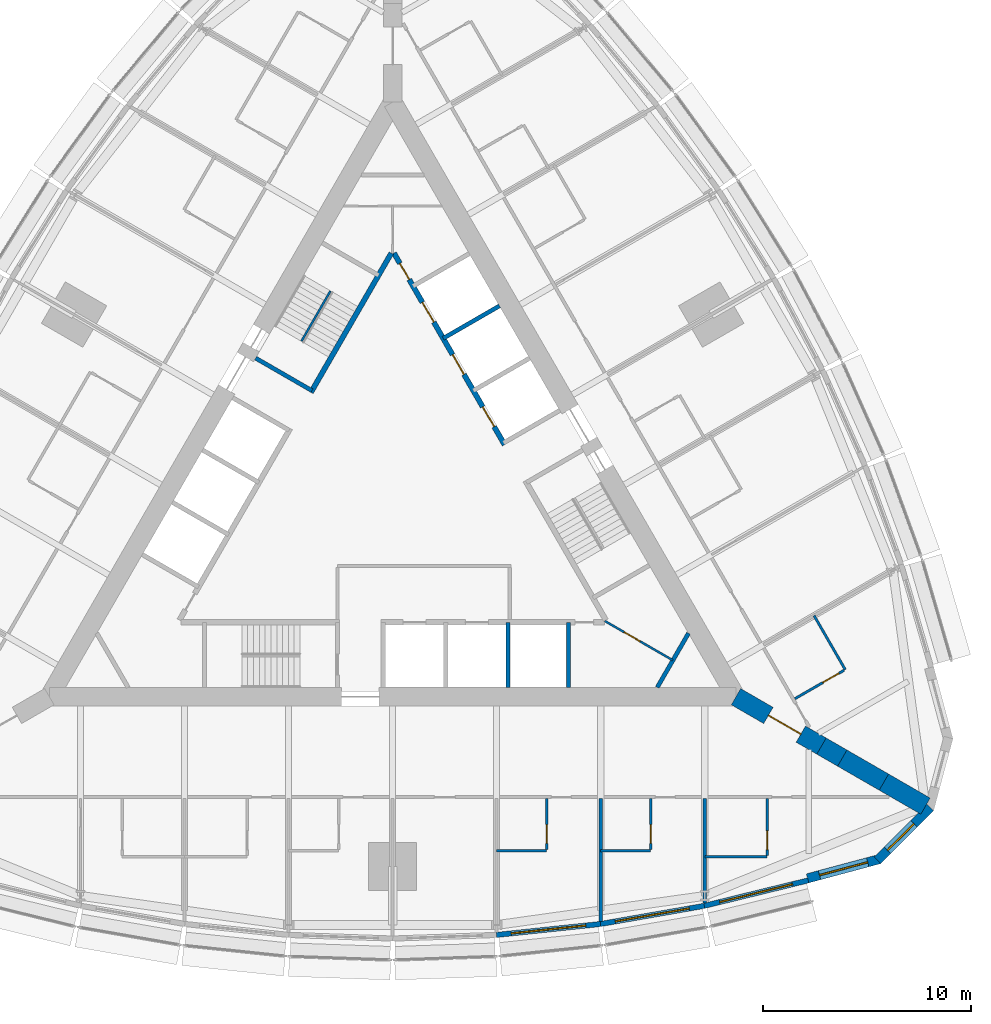
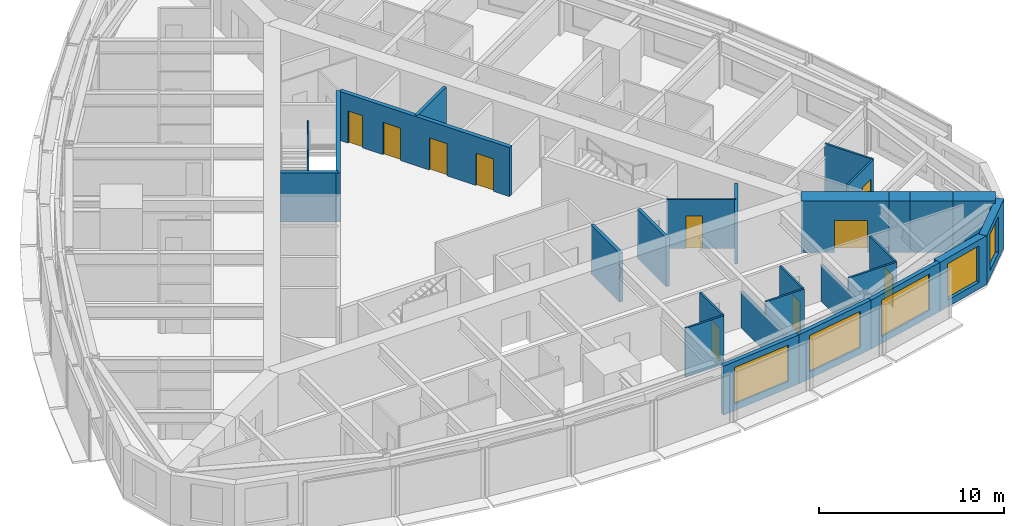
# One storey, part 10 of 14: 28 walls, 10 doors, 5 windows, 15 openings.
"""IFC4 building model written with IfcOpenShell, lengths in metres."""

from ifc_helpers import new_model, si_unit, direction, frame, frame_2d, origin, place, context, subcontext, project, spatial, polyline, rectangle, outline, extrude, material, layer, layer_set, type_object, element, fill, save


model = new_model("IFC4")

# Units and contexts
model_context = context("Model", 3, precision=1e-05, world=origin(), true_north=direction((0.0, 1.0)))
body_context = subcontext(model_context, "Body", "Model", "MODEL_VIEW")
ifc_project = project(units=[si_unit("LENGTHUNIT", "METRE"), si_unit("AREAUNIT", "SQUARE_METRE"), si_unit("VOLUMEUNIT", "CUBIC_METRE"), si_unit("PLANEANGLEUNIT", "RADIAN"), si_unit("MASSUNIT", "GRAM", prefix="KILO")], contexts=[model_context])

# Site, building, storey
site_placement = place(None, origin())
site = spatial("IfcSite", under=ifc_project, at=site_placement, CompositionType="ELEMENT")
building_placement = place(site_placement, origin())
building = spatial("IfcBuilding", under=site, at=building_placement, Name="Trikona Tower", CompositionType="ELEMENT")
storey_placement = place(building_placement, frame((0.0, 0.0, 152.10009765625)))
storey = spatial("IfcBuildingStorey", under=building, at=storey_placement, Name="L40", CompositionType="ELEMENT", Elevation=152.10009765625)

# Wall
ifc_material_1 = material(Name="Metal stud and cement board", Category="gypsum")
ifc_layer_1 = layer(ifc_material_1, 0.1201171875)
ifc_layer_set_1 = layer_set([ifc_layer_1], Name="Bathroom wall 120")
wall_type_1 = type_object("IfcWallType", Name="Bathroom wall 120", PredefinedType="PLUMBINGWALL", material=ifc_layer_set_1)
wall_1_placement = place(storey_placement, frame((5.0, -16.92626953125, 0.0), z_axis=(0.0, 0.0, 1.0), x_axis=(1.0, 0.0, 0.0)))
element("IfcWall", 1, at=wall_1_placement, inside=storey, type_object=wall_type_1, Name="Bathroom wall 4004", PredefinedType="PLUMBINGWALL", context=body_context, shape_type="SweptSolid", body=[
    extrude(rectangle(XDim=2.39990234375, YDim=0.1201171875, at=frame_2d((1.199951171875, 0.0))), origin(), (0.0, 0.0, 1.0), 3.23486328125),
])

# Wall, opening, door
wall_2_placement = place(storey_placement, frame((7.39990234375, -14.42626953125, 0.0), z_axis=(0.0, 0.0, 1.0), x_axis=(0.0, -1.0, 0.0)))
wall_2 = element("IfcWall", 2, at=wall_2_placement, inside=storey, type_object=wall_type_1, Name="Bathroom wall 4004", PredefinedType="PLUMBINGWALL", context=body_context, shape_type="SweptSolid", body=[
    extrude(rectangle(XDim=2.43994140625, YDim=0.1201171875, at=frame_2d((1.219970703125, 0.0))), origin(), (0.0, 0.0, 1.0), 3.23486328125),
])
opening_1_placement = place(wall_2_placement, frame((1.25, 0.0, 0.0)))
opening_1 = element("IfcOpeningElement", 3, at=opening_1_placement, cuts=wall_2, Name="Opening D2", PredefinedType="OPENING", context=body_context, shape_type="SweptSolid", body=[
    extrude(rectangle(XDim=0.89990234375, YDim=2.1298828125, at=frame_2d((0.449951171875, 1.06494140625))), frame((0.0, 0.070068359375, 0.0), z_axis=(0.0, -1.0, 0.0), x_axis=(1.0, 0.0, 0.0)), (0.0, 0.0, 1.0), 0.14013671875),
])
ifc_material_2 = material(Name="Steel door frame with solid-core timber leaf", Category="steel")
door_type_1 = type_object("IfcDoorType", Name="Bathroom door 900x2130", OperationType="SLIDING_TO_LEFT", PredefinedType="DOOR", material=ifc_material_2)
door_1_placement = place(opening_1_placement, origin())
door_1 = element("IfcDoor", 4, at=door_1_placement, inside=storey, type_object=door_type_1, Name="Bathroom door 4004", OperationType="SLIDING_TO_LEFT", OverallHeight=2.1298828125, OverallWidth=0.89990234375, PredefinedType="DOOR", context=body_context, shape_type="SweptSolid", body=[
    extrude(rectangle(XDim=0.89990234375, YDim=2.1298828125, at=frame_2d((0.449951171875, 1.06494140625))), frame((0.0, 0.02490234375, 0.0), z_axis=(0.0, -1.0, 0.0), x_axis=(1.0, 0.0, 0.0)), (0.0, 0.0, 1.0), 0.050048828125),
])
fill(opening_1, door_1)

# Wall
wall_3_placement = place(storey_placement, frame((10.0, -16.92626953125, 0.0), z_axis=(0.0, 0.0, 1.0), x_axis=(1.0, 0.0, 0.0)))
element("IfcWall", 5, at=wall_3_placement, inside=storey, type_object=wall_type_1, Name="Bathroom wall 4005", PredefinedType="PLUMBINGWALL", context=body_context, shape_type="SweptSolid", body=[
    extrude(rectangle(XDim=2.39990234375, YDim=0.1201171875, at=frame_2d((1.199951171875, 0.0))), origin(), (0.0, 0.0, 1.0), 3.23486328125),
])

# Wall, opening, door
wall_4_placement = place(storey_placement, frame((12.39990234375, -14.42626953125, 0.0), z_axis=(0.0, 0.0, 1.0), x_axis=(0.0, -1.0, 0.0)))
wall_4 = element("IfcWall", 6, at=wall_4_placement, inside=storey, type_object=wall_type_1, Name="Bathroom wall 4005", PredefinedType="PLUMBINGWALL", context=body_context, shape_type="SweptSolid", body=[
    extrude(rectangle(XDim=2.43994140625, YDim=0.1201171875, at=frame_2d((1.219970703125, 0.0))), origin(), (0.0, 0.0, 1.0), 3.23486328125),
])
opening_2_placement = place(wall_4_placement, frame((1.25, 0.0, 0.0)))
opening_2 = element("IfcOpeningElement", 7, at=opening_2_placement, cuts=wall_4, Name="Opening D2", PredefinedType="OPENING", context=body_context, shape_type="SweptSolid", body=[
    extrude(rectangle(XDim=0.89990234375, YDim=2.1298828125, at=frame_2d((0.449951171875, 1.06494140625))), frame((0.0, 0.070068359375, 0.0), z_axis=(0.0, -1.0, 0.0), x_axis=(1.0, 0.0, 0.0)), (0.0, 0.0, 1.0), 0.14013671875),
])
door_2_placement = place(opening_2_placement, origin())
door_2 = element("IfcDoor", 8, at=door_2_placement, inside=storey, type_object=door_type_1, Name="Bathroom door 4005", OperationType="SLIDING_TO_LEFT", OverallHeight=2.1298828125, OverallWidth=0.89990234375, PredefinedType="DOOR", context=body_context, shape_type="SweptSolid", body=[
    extrude(rectangle(XDim=0.89990234375, YDim=2.1298828125, at=frame_2d((0.449951171875, 1.06494140625))), frame((0.0, 0.02490234375, 0.0), z_axis=(0.0, -1.0, 0.0), x_axis=(1.0, 0.0, 0.0)), (0.0, 0.0, 1.0), 0.050048828125),
])
fill(opening_2, door_2)

# Wall
wall_5_placement = place(storey_placement, frame((15.0, -17.226318359375, 0.0), z_axis=(0.0, 0.0, 1.0), x_axis=(1.0, 0.0, 0.0)))
element("IfcWall", 9, at=wall_5_placement, inside=storey, type_object=wall_type_1, Name="Bathroom wall 4006", PredefinedType="PLUMBINGWALL", context=body_context, shape_type="SweptSolid", body=[
    extrude(rectangle(XDim=3.0, YDim=0.1201171875, at=frame_2d((1.5, 0.0))), origin(), (0.0, 0.0, 1.0), 3.23486328125),
])

# Wall, opening, door
wall_6_placement = place(storey_placement, frame((18.0, -14.42626953125, 0.0), z_axis=(0.0, 0.0, 1.0), x_axis=(0.0, -1.0, 0.0)))
wall_6 = element("IfcWall", 10, at=wall_6_placement, inside=storey, type_object=wall_type_1, Name="Bathroom wall 4006", PredefinedType="PLUMBINGWALL", context=body_context, shape_type="SweptSolid", body=[
    extrude(rectangle(XDim=2.739990234375, YDim=0.1201171875, at=frame_2d((1.3701171875, 0.0))), origin(), (0.0, 0.0, 1.0), 3.23486328125),
])
opening_3_placement = place(wall_6_placement, frame((1.550048828125, 0.0, 0.0)))
opening_3 = element("IfcOpeningElement", 11, at=opening_3_placement, cuts=wall_6, Name="Opening D2", PredefinedType="OPENING", context=body_context, shape_type="SweptSolid", body=[
    extrude(rectangle(XDim=0.89990234375, YDim=2.1298828125, at=frame_2d((0.449951171875, 1.06494140625))), frame((0.0, 0.070068359375, 0.0), z_axis=(0.0, -1.0, 0.0), x_axis=(1.0, 0.0, 0.0)), (0.0, 0.0, 1.0), 0.14013671875),
])
door_3_placement = place(opening_3_placement, origin())
door_3 = element("IfcDoor", 12, at=door_3_placement, inside=storey, type_object=door_type_1, Name="Bathroom door 4006", OperationType="SLIDING_TO_LEFT", OverallHeight=2.1298828125, OverallWidth=0.89990234375, PredefinedType="DOOR", context=body_context, shape_type="SweptSolid", body=[
    extrude(rectangle(XDim=0.89990234375, YDim=2.1298828125, at=frame_2d((0.449951171875, 1.06494140625))), frame((0.0, 0.02490234375, 0.0), z_axis=(0.0, -1.0, 0.0), x_axis=(1.0, 0.0, 0.0)), (0.0, 0.0, 1.0), 0.050048828125),
])
fill(opening_3, door_3)

# Wall
wall_7_placement = place(storey_placement, frame((21.75341796875, -8.225341796875, 0.0), z_axis=(0.0, 0.0, 1.0), x_axis=(-0.499990139034, 0.866031096941, 0.0)))
element("IfcWall", 13, at=wall_7_placement, inside=storey, type_object=wall_type_1, Name="Bathroom wall 4007", PredefinedType="PLUMBINGWALL", context=body_context, shape_type="SweptSolid", body=[
    extrude(rectangle(XDim=3.0, YDim=0.1201171875, at=frame_2d((1.5, 0.0))), origin(), (0.0, 0.0, 1.0), 3.23486328125),
])

# Wall, opening, door
wall_8_placement = place(storey_placement, frame((19.32861328125, -9.625244140625, 0.0), z_axis=(0.0, 0.0, 1.0), x_axis=(0.866035715982, 0.499982138324, 0.0)))
wall_8 = element("IfcWall", 14, at=wall_8_placement, inside=storey, type_object=wall_type_1, Name="Bathroom wall 4007", PredefinedType="PLUMBINGWALL", context=body_context, shape_type="SweptSolid", body=[
    extrude(rectangle(XDim=2.73974609375, YDim=0.1201171875, at=frame_2d((1.369873046875, 0.0))), origin(), (0.0, 0.0, 1.0), 3.23486328125),
])
opening_4_placement = place(wall_8_placement, frame((1.550048828125, 0.0, 0.0)))
opening_4 = element("IfcOpeningElement", 15, at=opening_4_placement, cuts=wall_8, Name="Opening D2", PredefinedType="OPENING", context=body_context, shape_type="SweptSolid", body=[
    extrude(rectangle(XDim=0.89990234375, YDim=2.1298828125, at=frame_2d((0.449951171875, 1.06494140625))), frame((0.0, 0.070068359375, 0.0), z_axis=(0.0, -1.0, 0.0), x_axis=(1.0, 0.0, 0.0)), (0.0, 0.0, 1.0), 0.14013671875),
])
door_4_placement = place(opening_4_placement, origin())
door_4 = element("IfcDoor", 16, at=door_4_placement, inside=storey, type_object=door_type_1, Name="Bathroom door 4007", OperationType="SLIDING_TO_LEFT", OverallHeight=2.1298828125, OverallWidth=0.89990234375, PredefinedType="DOOR", context=body_context, shape_type="SweptSolid", body=[
    extrude(rectangle(XDim=0.89990234375, YDim=2.1298828125, at=frame_2d((0.449951171875, 1.06494140625))), frame((0.0, 0.02490234375, 0.0), z_axis=(0.0, -1.0, 0.0), x_axis=(1.0, 0.0, 0.0)), (0.0, 0.0, 1.0), 0.050048828125),
])
fill(opening_4, door_4)

# Wall, opening, window
ifc_material_3 = material(Name="Brick-faced precast concrete", Category="masonry")
ifc_layer_2 = layer(ifc_material_3, 0.449951171875)
ifc_layer_set_2 = layer_set([ifc_layer_2], Name="Brick-faced corner wall 450")
wall_type_2 = type_object("IfcWallType", Name="Brick-faced corner wall 450", PredefinedType="SOLIDWALL", material=ifc_layer_set_2)
wall_9_placement = place(storey_placement, frame((19.94189453125, -18.2578125, 0.0), z_axis=(0.0, 0.0, 1.0), x_axis=(0.965924653531, 0.258823421857, 0.0)))
wall_9 = element("IfcWall", 17, at=wall_9_placement, inside=storey, type_object=wall_type_2, Name="External wall L40-08", PredefinedType="SOLIDWALL", context=body_context, shape_type="SweptSolid", body=[
    extrude(rectangle(XDim=3.58642578125, YDim=0.449951171875, at=frame_2d((1.793212890625, 0.0))), origin(), (0.0, 0.0, 1.0), 3.23486328125),
])
opening_5_placement = place(wall_9_placement, frame((0.593017578125, 0.0, 0.449951171875)))
opening_5 = element("IfcOpeningElement", 18, at=opening_5_placement, cuts=wall_9, Name="Opening W2424", PredefinedType="OPENING", context=body_context, shape_type="SweptSolid", body=[
    extrude(rectangle(XDim=2.39990234375, YDim=2.39990234375, at=frame_2d((1.199951171875, 1.199951171875))), frame((0.0, 0.23486328125, 0.0), z_axis=(0.0, -1.0, 0.0), x_axis=(1.0, 0.0, 0.0)), (0.0, 0.0, 1.0), 0.469970703125),
])
ifc_material_4 = material(Name="Aluminium-framed double glazing", Category="aluminium")
window_type_1 = type_object("IfcWindowType", Name="Window 2400x2400", PartitioningType="SINGLE_PANEL", PredefinedType="WINDOW", material=ifc_material_4)
window_1_placement = place(opening_5_placement, origin())
window_1 = element("IfcWindow", 19, at=window_1_placement, inside=storey, type_object=window_type_1, Name="Window 4006", OverallHeight=2.39990234375, OverallWidth=2.39990234375, PartitioningType="SINGLE_PANEL", PredefinedType="WINDOW", context=body_context, shape_type="SweptSolid", body=[
    extrude(rectangle(XDim=2.39990234375, YDim=2.39990234375, at=frame_2d((1.199951171875, 1.199951171875))), frame((0.0, 0.030029296875, 0.0), z_axis=(0.0, -1.0, 0.0), x_axis=(1.0, 0.0, 0.0)), (0.0, 0.0, 1.0), 0.06005859375),
])
fill(opening_5, window_1)

wall_10_placement = place(storey_placement, frame((23.304931640625, -17.387939453125, 0.0), z_axis=(0.0, 0.0, 1.0), x_axis=(0.707106781187, 0.707106781187, 0.0)))
wall_10 = element("IfcWall", 20, at=wall_10_placement, inside=storey, type_object=wall_type_2, Name="External wall L40-09", PredefinedType="SOLIDWALL", context=body_context, shape_type="SweptSolid", body=[
    extrude(outline(polyline([(3.586181640625, 0.22509765625), (3.527099609375, 0.22509765625), (3.03515625, 0.09326171875), (3.0, 0.22509765625), (0.0, 0.22509765625), (0.0, -0.22509765625), (3.586181640625, -0.22509765625), (3.586181640625, 0.22509765625)])), origin(), (0.0, 0.0, 1.0), 3.23486328125),
])
opening_6_placement = place(wall_10_placement, frame((0.6748046875, 0.0, 0.449951171875)))
opening_6 = element("IfcOpeningElement", 21, at=opening_6_placement, cuts=wall_10, Name="Opening W1824", PredefinedType="OPENING", context=body_context, shape_type="SweptSolid", body=[
    extrude(rectangle(XDim=1.800048828125, YDim=2.39990234375, at=frame_2d((0.89990234375, 1.199951171875))), frame((0.0, 0.23486328125, 0.0), z_axis=(0.0, -1.0, 0.0), x_axis=(1.0, 0.0, 0.0)), (0.0, 0.0, 1.0), 0.469970703125),
])
ifc_material_5 = material(Name="Aluminium-framed double glazing", Category="aluminium")
window_type_2 = type_object("IfcWindowType", Name="Window 1800x2400", PartitioningType="SINGLE_PANEL", PredefinedType="WINDOW", material=ifc_material_5)
window_2_placement = place(opening_6_placement, origin())
window_2 = element("IfcWindow", 22, at=window_2_placement, inside=storey, type_object=window_type_2, Name="Window 4006", OverallHeight=2.39990234375, OverallWidth=1.800048828125, PartitioningType="SINGLE_PANEL", PredefinedType="WINDOW", context=body_context, shape_type="SweptSolid", body=[
    extrude(rectangle(XDim=1.800048828125, YDim=2.39990234375, at=frame_2d((0.89990234375, 1.199951171875))), frame((0.0, 0.030029296875, 0.0), z_axis=(0.0, -1.0, 0.0), x_axis=(1.0, 0.0, 0.0)), (0.0, 0.0, 1.0), 0.06005859375),
])
fill(opening_6, window_2)

# Wall, opening, door
ifc_material_6 = material(Name="Concrete f'c 10000 psi", Category="concrete")
ifc_layer_3 = layer(ifc_material_6, 0.89990234375)
ifc_layer_set_3 = layer_set([ifc_layer_3], Name="Buttress wall 900")
wall_type_3 = type_object("IfcWallType", Name="Buttress wall 900", PredefinedType="SHEAR", material=ifc_layer_set_3)
wall_11_placement = place(storey_placement, frame((16.5, -9.5263671875, 0.0), z_axis=(0.0, 0.0, 1.0), x_axis=(0.866031398331, -0.499989616998, 0.0)))
wall_11 = element("IfcWall", 23, at=wall_11_placement, inside=storey, type_object=wall_type_3, Name="Buttress wall 1", PredefinedType="SHEAR", context=body_context, shape_type="SweptSolid", body=[
    extrude(rectangle(XDim=4.74609375, YDim=0.89990234375, at=frame_2d((2.373046875, 0.0))), origin(), (0.0, 0.0, 1.0), 3.39990234375),
])
opening_7_placement = place(wall_11_placement, frame((1.800048828125, 0.0, 0.0)))
opening_7 = element("IfcOpeningElement", 24, at=opening_7_placement, cuts=wall_11, Name="Opening D10", PredefinedType="OPENING", context=body_context, shape_type="SweptSolid", body=[
    extrude(rectangle(XDim=1.800048828125, YDim=2.1298828125, at=frame_2d((0.89990234375, 1.06494140625))), frame((0.0, 0.4599609375, 0.0), z_axis=(0.0, -1.0, 0.0), x_axis=(1.0, 0.0, 0.0)), (0.0, 0.0, 1.0), 0.919921875),
])
ifc_material_7 = material(Name="Hollow metal door and frame", Category="steel")
door_type_2 = type_object("IfcDoorType", Name="Cross-corridor door pair 1800x2130", OperationType="DOUBLE_DOOR_DOUBLE_SWING", PredefinedType="DOOR", material=ifc_material_7)
door_5_placement = place(opening_7_placement, origin())
door_5 = element("IfcDoor", 25, at=door_5_placement, inside=storey, type_object=door_type_2, Name="Cross-corridor door 1", OperationType="DOUBLE_DOOR_DOUBLE_SWING", OverallHeight=2.1298828125, OverallWidth=1.800048828125, PredefinedType="DOOR", context=body_context, shape_type="SweptSolid", body=[
    extrude(rectangle(XDim=1.800048828125, YDim=2.1298828125, at=frame_2d((0.89990234375, 1.06494140625))), frame((0.0, 0.02490234375, 0.0), z_axis=(0.0, -1.0, 0.0), x_axis=(1.0, 0.0, 0.0)), (0.0, 0.0, 1.0), 0.050048828125),
])
fill(opening_7, door_5)

# Walls
wall_12_placement = place(storey_placement, frame((20.6103515625, -11.8994140625, 0.0), z_axis=(0.0, 0.0, 1.0), x_axis=(0.866009537788, -0.500027479704, 0.0)))
element("IfcWall", 26, at=wall_12_placement, inside=storey, type_object=wall_type_3, Name="Buttress wall 1 part 2", PredefinedType="SHEAR", context=body_context, shape_type="SweptSolid", body=[
    extrude(rectangle(XDim=1.15478515625, YDim=0.89990234375, at=frame_2d((0.577392578125, 0.0))), origin(), (0.0, 0.0, 1.0), 3.39990234375),
])
for number, where, z_axis, x_axis, name in (
    (27, (21.6103515625, -12.476806640625, 0.0), (0.0, 0.0, 1.0), (0.866055313784, -0.499948190782, 0.0), "Buttress wall 1 part 3"),
    (28, (23.6103515625, -13.63134765625, 0.0), (0.0, 0.0, 1.0), (0.866009537788, -0.500027479704, 0.0), "Buttress wall 1 part 4"),
):
    element("IfcWall", number, at=place(storey_placement, frame(where, z_axis=z_axis, x_axis=x_axis)), inside=storey, type_object=wall_type_3, Name=name, PredefinedType="SHEAR", context=body_context, shape_type="SweptSolid", body=[
        extrude(rectangle(XDim=2.309326171875, YDim=0.89990234375, at=frame_2d((1.15478515625, 0.0))), origin(), (0.0, 0.0, 1.0), 3.39990234375),
    ])

# Wall, openings, doors
ifc_material_8 = material(Name="Concrete f'c 8000 psi", Category="concrete")
ifc_layer_4 = layer(ifc_material_8, 0.25)
ifc_layer_set_4 = layer_set([ifc_layer_4], Name="Hub wall 250")
wall_type_4 = type_object("IfcWallType", Name="Hub wall 250", PredefinedType="SOLIDWALL", material=ifc_layer_set_4)
wall_13_placement = place(storey_placement, frame((5.37890625, 2.5859375, 0.0), z_axis=(0.0, 0.0, 1.0), x_axis=(-0.500001375892, 0.866024609411, 0.0)))
wall_13 = element("IfcWall", 29, at=wall_13_placement, inside=storey, type_object=wall_type_4, Name="Lift lobby wall B2", PredefinedType="SOLIDWALL", context=body_context, shape_type="SweptSolid", body=[
    extrude(rectangle(XDim=10.6328125, YDim=0.25, at=frame_2d((5.31640625, 0.0))), origin(), (0.0, 0.0, 1.0), 3.23486328125),
])
opening_8_placement = place(wall_13_placement, frame((9.1640625, 0.0, 0.0)))
opening_8 = element("IfcOpeningElement", 30, at=opening_8_placement, cuts=wall_13, Name="Opening D14", PredefinedType="OPENING", context=body_context, shape_type="SweptSolid", body=[
    extrude(rectangle(XDim=0.89990234375, YDim=2.1298828125, at=frame_2d((0.449951171875, 1.06494140625))), frame((0.0, 0.135009765625, 0.0), z_axis=(0.0, -1.0, 0.0), x_axis=(1.0, 0.0, 0.0)), (0.0, 0.0, 1.0), 0.27001953125),
])
opening_9_placement = place(wall_13_placement, frame((1.0, 0.0, 0.0)))
opening_9 = element("IfcOpeningElement", 31, at=opening_9_placement, cuts=wall_13, Name="Opening LD", PredefinedType="OPENING", context=body_context, shape_type="SweptSolid", body=[
    extrude(rectangle(XDim=1.10009765625, YDim=2.1298828125, at=frame_2d((0.550048828125, 1.06494140625))), frame((0.0, 0.135009765625, 0.0), z_axis=(0.0, -1.0, 0.0), x_axis=(1.0, 0.0, 0.0)), (0.0, 0.0, 1.0), 0.27001953125),
])
opening_10_placement = place(wall_13_placement, frame((3.89990234375, 0.0, 0.0)))
opening_10 = element("IfcOpeningElement", 32, at=opening_10_placement, cuts=wall_13, Name="Opening LD", PredefinedType="OPENING", context=body_context, shape_type="SweptSolid", body=[
    extrude(rectangle(XDim=1.10009765625, YDim=2.1298828125, at=frame_2d((0.550048828125, 1.06494140625))), frame((0.0, 0.135009765625, 0.0), z_axis=(0.0, -1.0, 0.0), x_axis=(1.0, 0.0, 0.0)), (0.0, 0.0, 1.0), 0.27001953125),
])
opening_11_placement = place(wall_13_placement, frame((6.800048828125, 0.0, 0.0)))
opening_11 = element("IfcOpeningElement", 33, at=opening_11_placement, cuts=wall_13, Name="Opening LD", PredefinedType="OPENING", context=body_context, shape_type="SweptSolid", body=[
    extrude(rectangle(XDim=1.10009765625, YDim=2.1298828125, at=frame_2d((0.550048828125, 1.06494140625))), frame((0.0, 0.135009765625, 0.0), z_axis=(0.0, -1.0, 0.0), x_axis=(1.0, 0.0, 0.0)), (0.0, 0.0, 1.0), 0.27001953125),
])
ifc_material_9 = material(Name="Stainless steel lift landing door", Category="steel")
door_type_3 = type_object("IfcDoorType", Name="Lift landing door 1100x2130", OperationType="DOUBLE_DOOR_SLIDING", PredefinedType="USERDEFINED", material=ifc_material_9)
door_6_placement = place(opening_9_placement, origin())
door_6 = element("IfcDoor", 34, at=door_6_placement, inside=storey, type_object=door_type_3, Name="Lift landing door L2-1", ObjectType="LIFT LANDING DOOR", OperationType="DOUBLE_DOOR_SLIDING", OverallHeight=2.1298828125, OverallWidth=1.10009765625, PredefinedType="USERDEFINED", context=body_context, shape_type="SweptSolid", body=[
    extrude(rectangle(XDim=1.10009765625, YDim=2.1298828125, at=frame_2d((0.550048828125, 1.06494140625))), frame((0.0, 0.02490234375, 0.0), z_axis=(0.0, -1.0, 0.0), x_axis=(1.0, 0.0, 0.0)), (0.0, 0.0, 1.0), 0.050048828125),
])
fill(opening_9, door_6)
door_7_placement = place(opening_10_placement, origin())
door_7 = element("IfcDoor", 35, at=door_7_placement, inside=storey, type_object=door_type_3, Name="Lift landing door L2-2", ObjectType="LIFT LANDING DOOR", OperationType="DOUBLE_DOOR_SLIDING", OverallHeight=2.1298828125, OverallWidth=1.10009765625, PredefinedType="USERDEFINED", context=body_context, shape_type="SweptSolid", body=[
    extrude(rectangle(XDim=1.10009765625, YDim=2.1298828125, at=frame_2d((0.550048828125, 1.06494140625))), frame((0.0, 0.02490234375, 0.0), z_axis=(0.0, -1.0, 0.0), x_axis=(1.0, 0.0, 0.0)), (0.0, 0.0, 1.0), 0.050048828125),
])
fill(opening_10, door_7)
door_8_placement = place(opening_11_placement, origin())
door_8 = element("IfcDoor", 36, at=door_8_placement, inside=storey, type_object=door_type_3, Name="Lift landing door L2-3", ObjectType="LIFT LANDING DOOR", OperationType="DOUBLE_DOOR_SLIDING", OverallHeight=2.1298828125, OverallWidth=1.10009765625, PredefinedType="USERDEFINED", context=body_context, shape_type="SweptSolid", body=[
    extrude(rectangle(XDim=1.10009765625, YDim=2.1298828125, at=frame_2d((0.550048828125, 1.06494140625))), frame((0.0, 0.02490234375, 0.0), z_axis=(0.0, -1.0, 0.0), x_axis=(1.0, 0.0, 0.0)), (0.0, 0.0, 1.0), 0.050048828125),
])
fill(opening_11, door_8)
ifc_material_10 = material(Name="Hollow metal door and frame", Category="steel")
door_type_4 = type_object("IfcDoorType", Name="Service room door 900x2130", OperationType="SINGLE_SWING_LEFT", PredefinedType="DOOR", material=ifc_material_10)
door_9_placement = place(opening_8_placement, origin())
door_9 = element("IfcDoor", 37, at=door_9_placement, inside=storey, type_object=door_type_4, Name="Door Linen store LIN", OperationType="SINGLE_SWING_RIGHT", OverallHeight=2.1298828125, OverallWidth=0.89990234375, PredefinedType="DOOR", context=body_context, shape_type="SweptSolid", body=[
    extrude(rectangle(XDim=0.89990234375, YDim=2.1298828125, at=frame_2d((0.449951171875, 1.06494140625))), frame((0.0, 0.02490234375, 0.0), z_axis=(0.0, -1.0, 0.0), x_axis=(1.0, 0.0, 0.0)), (0.0, 0.0, 1.0), 0.050048828125),
])
fill(opening_8, door_9)

# Wall
wall_14_placement = place(storey_placement, frame((-0.0625, 11.794189453125, 0.0), z_axis=(0.0, 0.0, 1.0), x_axis=(-0.500006680225, -0.86602154692, 0.0)))
element("IfcWall", 38, at=wall_14_placement, inside=storey, type_object=wall_type_4, Name="Lift lobby wall C1", PredefinedType="SOLIDWALL", context=body_context, shape_type="SweptSolid", body=[
    extrude(rectangle(XDim=7.73291015625, YDim=0.25, at=frame_2d((3.866455078125, 0.0))), origin(), (0.0, 0.0, 1.0), 3.23486328125),
])

# Wall, opening, window
ifc_material_11 = material(Name="Insulated precast concrete spandrel panel", Category="concrete")
ifc_layer_5 = layer(ifc_material_11, 0.25)
ifc_layer_set_5 = layer_set([ifc_layer_5], Name="Inner skin wall 250")
wall_type_5 = type_object("IfcWallType", Name="Inner skin wall 250", PredefinedType="STANDARD", material=ifc_layer_set_5)
wall_15_placement = place(storey_placement, frame((4.98681640625, -20.975830078125, 0.0), z_axis=(0.0, 0.0, 1.0), x_axis=(0.994534683851, 0.104406717299, 0.0)))
wall_15 = element("IfcWall", 39, at=wall_15_placement, inside=storey, type_object=wall_type_5, Name="External wall L40-05", PredefinedType="STANDARD", context=body_context, shape_type="SweptSolid", body=[
    extrude(rectangle(XDim=5.027587890625, YDim=0.25, at=frame_2d((2.513671875, 0.0))), origin(), (0.0, 0.0, 1.0), 3.23486328125),
])
opening_12_placement = place(wall_15_placement, frame((0.713623046875, 0.0, 0.449951171875)))
opening_12 = element("IfcOpeningElement", 40, at=opening_12_placement, cuts=wall_15, Name="Opening W3624", PredefinedType="OPENING", context=body_context, shape_type="SweptSolid", body=[
    extrude(rectangle(XDim=3.60009765625, YDim=2.39990234375, at=frame_2d((1.800048828125, 1.199951171875))), frame((0.0, 0.135009765625, 0.0), z_axis=(0.0, -1.0, 0.0), x_axis=(1.0, 0.0, 0.0)), (0.0, 0.0, 1.0), 0.27001953125),
])
ifc_material_12 = material(Name="Aluminium-framed double glazing", Category="aluminium")
window_type_3 = type_object("IfcWindowType", Name="Window 3600x2400", PartitioningType="SINGLE_PANEL", PredefinedType="WINDOW", material=ifc_material_12)
window_3_placement = place(opening_12_placement, origin())
window_3 = element("IfcWindow", 41, at=window_3_placement, inside=storey, type_object=window_type_3, Name="Window 4004", OverallHeight=2.39990234375, OverallWidth=3.60009765625, PartitioningType="SINGLE_PANEL", PredefinedType="WINDOW", context=body_context, shape_type="SweptSolid", body=[
    extrude(rectangle(XDim=3.60009765625, YDim=2.39990234375, at=frame_2d((1.800048828125, 1.199951171875))), frame((0.0, 0.030029296875, 0.0), z_axis=(0.0, -1.0, 0.0), x_axis=(1.0, 0.0, 0.0)), (0.0, 0.0, 1.0), 0.06005859375),
])
fill(opening_12, window_3)

wall_16_placement = place(storey_placement, frame((9.978515625, -20.4521484375, 0.0), z_axis=(0.0, 0.0, 1.0), x_axis=(0.985030467156, 0.172380331752, 0.0)))
wall_16 = element("IfcWall", 42, at=wall_16_placement, inside=storey, type_object=wall_type_5, Name="External wall L40-06", PredefinedType="STANDARD", context=body_context, shape_type="SweptSolid", body=[
    extrude(rectangle(XDim=5.075927734375, YDim=0.25, at=frame_2d((2.5380859375, 0.0))), origin(), (0.0, 0.0, 1.0), 3.23486328125),
])
opening_13_placement = place(wall_16_placement, frame((0.738037109375, 0.0, 0.449951171875)))
opening_13 = element("IfcOpeningElement", 43, at=opening_13_placement, cuts=wall_16, Name="Opening W3624", PredefinedType="OPENING", context=body_context, shape_type="SweptSolid", body=[
    extrude(rectangle(XDim=3.60009765625, YDim=2.39990234375, at=frame_2d((1.800048828125, 1.199951171875))), frame((0.0, 0.135009765625, 0.0), z_axis=(0.0, -1.0, 0.0), x_axis=(1.0, 0.0, 0.0)), (0.0, 0.0, 1.0), 0.27001953125),
])
window_4_placement = place(opening_13_placement, origin())
window_4 = element("IfcWindow", 44, at=window_4_placement, inside=storey, type_object=window_type_3, Name="Window 4005", OverallHeight=2.39990234375, OverallWidth=3.60009765625, PartitioningType="SINGLE_PANEL", PredefinedType="WINDOW", context=body_context, shape_type="SweptSolid", body=[
    extrude(rectangle(XDim=3.60009765625, YDim=2.39990234375, at=frame_2d((1.800048828125, 1.199951171875))), frame((0.0, 0.030029296875, 0.0), z_axis=(0.0, -1.0, 0.0), x_axis=(1.0, 0.0, 0.0)), (0.0, 0.0, 1.0), 0.06005859375),
])
fill(opening_13, window_4)

wall_17_placement = place(storey_placement, frame((14.97021484375, -19.578857421875, 0.0), z_axis=(0.0, 0.0, 1.0), x_axis=(0.971270024053, 0.237980126011, 0.0)))
wall_17 = element("IfcWall", 45, at=wall_17_placement, inside=storey, type_object=wall_type_5, Name="External wall L40-07", PredefinedType="STANDARD", context=body_context, shape_type="SweptSolid", body=[
    extrude(rectangle(XDim=5.14794921875, YDim=0.25, at=frame_2d((2.573974609375, 0.0))), origin(), (0.0, 0.0, 1.0), 3.23486328125),
])
opening_14_placement = place(wall_17_placement, frame((0.77392578125, 0.0, 0.449951171875)))
opening_14 = element("IfcOpeningElement", 46, at=opening_14_placement, cuts=wall_17, Name="Opening W3624", PredefinedType="OPENING", context=body_context, shape_type="SweptSolid", body=[
    extrude(rectangle(XDim=3.60009765625, YDim=2.39990234375, at=frame_2d((1.800048828125, 1.199951171875))), frame((0.0, 0.135009765625, 0.0), z_axis=(0.0, -1.0, 0.0), x_axis=(1.0, 0.0, 0.0)), (0.0, 0.0, 1.0), 0.27001953125),
])
window_5_placement = place(opening_14_placement, origin())
window_5 = element("IfcWindow", 47, at=window_5_placement, inside=storey, type_object=window_type_3, Name="Window 4006", OverallHeight=2.39990234375, OverallWidth=3.60009765625, PartitioningType="SINGLE_PANEL", PredefinedType="WINDOW", context=body_context, shape_type="SweptSolid", body=[
    extrude(rectangle(XDim=3.60009765625, YDim=2.39990234375, at=frame_2d((1.800048828125, 1.199951171875))), frame((0.0, 0.030029296875, 0.0), z_axis=(0.0, -1.0, 0.0), x_axis=(1.0, 0.0, 0.0)), (0.0, 0.0, 1.0), 0.06005859375),
])
fill(opening_14, window_5)

# Walls
ifc_material_13 = material(Name="Metal stud and gypsum board, 1-hour acoustic", Category="gypsum")
ifc_layer_6 = layer(ifc_material_13, 0.14990234375)
ifc_layer_set_6 = layer_set([ifc_layer_6], Name="Party wall 150")
wall_type_6 = type_object("IfcWallType", Name="Party wall 150", PredefinedType="PARTITIONING", material=ifc_layer_set_6)
wall_18_placement = place(storey_placement, frame((10.0, -14.42626953125, 0.0), z_axis=(0.0, 0.0, 1.0), x_axis=(0.0, -1.0, 0.0)))
element("IfcWall", 48, at=wall_18_placement, inside=storey, type_object=wall_type_6, Name="Partition L40 F1 u10", PredefinedType="PARTITIONING", context=body_context, shape_type="SweptSolid", body=[
    extrude(rectangle(XDim=5.89501953125, YDim=0.14990234375, at=frame_2d((2.947509765625, 0.0))), origin(), (0.0, 0.0, 1.0), 2.38916015625),
])
wall_19_placement = place(storey_placement, frame((15.0, -14.42626953125, 0.0), z_axis=(0.0, 0.0, 1.0), x_axis=(0.0, -1.0, 0.0)))
element("IfcWall", 49, at=wall_19_placement, inside=storey, type_object=wall_type_6, Name="Partition L40 F1 u15", PredefinedType="PARTITIONING", context=body_context, shape_type="SweptSolid", body=[
    extrude(rectangle(XDim=5.0166015625, YDim=0.14990234375, at=frame_2d((2.50830078125, 0.0))), origin(), (0.0, 0.0, 1.0), 2.38916015625),
])
ifc_material_14 = material(Name="Concrete f'c 8000 psi", Category="concrete")
ifc_layer_7 = layer(ifc_material_14, 0.199951171875)
ifc_layer_set_7 = layer_set([ifc_layer_7], Name="Shaft wall 200")
wall_type_7 = type_object("IfcWallType", Name="Shaft wall 200", PredefinedType="SOLIDWALL", material=ifc_layer_set_7)
for number, where, z_axis, x_axis, name in (
    (50, (5.550048828125, -5.951416015625, 0.0), (0.0, 0.0, 1.0), (0.0, -1.0, 0.0), "Shaft wall A5"),
    (51, (8.449951171875, -5.951416015625, 0.0), (0.0, 0.0, 1.0), (0.0, -1.0, 0.0), "Shaft wall A6"),
    (52, (2.428955078125, 7.695556640625, 0.0), (0.0, 0.0, 1.0), (0.866022959057, 0.500004234368, 0.0), "Shaft wall B5"),
):
    element("IfcWall", number, at=place(storey_placement, frame(where, z_axis=z_axis, x_axis=x_axis)), inside=storey, type_object=wall_type_7, Name=name, PredefinedType="SOLIDWALL", context=body_context, shape_type="SweptSolid", body=[
        extrude(rectangle(XDim=3.125, YDim=0.199951171875, at=frame_2d((1.5625, 0.0))), origin(), (0.0, 0.0, 1.0), 3.23486328125),
    ])
wall_20_placement = place(storey_placement, frame((14.219482421875, -6.476318359375, 0.0), z_axis=(0.0, 0.0, 1.0), x_axis=(-0.499952404951, -0.866052881055, 0.0)))
element("IfcWall", 53, at=wall_20_placement, inside=storey, type_object=wall_type_7, Name="Riser wall L40-RS1", PredefinedType="SOLIDWALL", context=body_context, shape_type="SweptSolid", body=[
    extrude(rectangle(XDim=3.002197265625, YDim=0.199951171875, at=frame_2d((1.5009765625, 0.0))), origin(), (0.0, 0.0, 1.0), 3.23486328125),
])
ifc_material_15 = material(Name="Concrete f'c 8000 psi", Category="concrete")
ifc_layer_8 = layer(ifc_material_15, 0.199951171875)
ifc_layer_set_8 = layer_set([ifc_layer_8], Name="Shaft wall 200 load-bearing")
wall_type_8 = type_object("IfcWallType", Name="Shaft wall 200 load-bearing", PredefinedType="SOLIDWALL", material=ifc_layer_set_8)
wall_21_placement = place(storey_placement, frame((-3.87890625, 5.18408203125, 0.0), z_axis=(0.0, 0.0, 1.0), x_axis=(-0.866022959057, 0.500004234368, 0.0)))
element("IfcWall", 54, at=wall_21_placement, inside=storey, type_object=wall_type_8, Name="Shaft wall C2", PredefinedType="SOLIDWALL", context=body_context, shape_type="SweptSolid", body=[
    extrude(rectangle(XDim=3.125, YDim=0.199951171875, at=frame_2d((1.5625, 0.0))), origin(), (0.0, 0.0, 1.0), 3.23486328125),
])
ifc_material_16 = material(Name="Concrete f'c 5000 psi", Category="concrete")
ifc_layer_9 = layer(ifc_material_16, 0.10009765625)
ifc_layer_set_9 = layer_set([ifc_layer_9], Name="Stair spine wall 100")
wall_type_9 = type_object("IfcWallType", Name="Stair spine wall 100", PredefinedType="SOLIDWALL", material=ifc_layer_set_9)
wall_22_placement = place(storey_placement, frame((-2.98779296875, 9.9775390625, 0.0), z_axis=(0.0, 0.0, 1.0), x_axis=(-0.499992232847, -0.866029888106, 0.0)))
element("IfcWall", 55, at=wall_22_placement, inside=storey, type_object=wall_type_9, Name="Stair C spine wall L40", PredefinedType="SOLIDWALL", context=body_context, shape_type="SweptSolid", body=[
    extrude(rectangle(XDim=2.7939453125, YDim=0.10009765625, at=frame_2d((1.39697265625, 0.0))), origin(), (0.0, 0.0, 1.0), 3.39990234375),
])

# Wall, opening, door
ifc_material_17 = material(Name="Metal stud and gypsum board, acoustic", Category="gypsum")
ifc_layer_10 = layer(ifc_material_17, 0.10009765625)
ifc_layer_set_10 = layer_set([ifc_layer_10], Name="Suite partition 100")
wall_type_10 = type_object("IfcWallType", Name="Suite partition 100", PredefinedType="PARTITIONING", material=ifc_layer_set_10)
wall_23_placement = place(storey_placement, frame((13.468994140625, -7.7763671875, 0.0), z_axis=(0.0, 0.0, 1.0), x_axis=(-0.866021898093, 0.500006071987, 0.0)))
wall_23 = element("IfcWall", 56, at=wall_23_placement, inside=storey, type_object=wall_type_10, Name="Store partition L40-RS1", PredefinedType="PARTITIONING", context=body_context, shape_type="SweptSolid", body=[
    extrude(rectangle(XDim=3.775390625, YDim=0.10009765625, at=frame_2d((1.8876953125, 0.0))), origin(), (0.0, 0.0, 1.0), 3.23486328125),
])
opening_15_placement = place(wall_23_placement, frame((1.815185546875, 0.0, 0.0)))
opening_15 = element("IfcOpeningElement", 57, at=opening_15_placement, cuts=wall_23, Name="Opening D15", PredefinedType="OPENING", context=body_context, shape_type="SweptSolid", body=[
    extrude(rectangle(XDim=0.89990234375, YDim=2.1298828125, at=frame_2d((0.449951171875, 1.06494140625))), frame((0.0, 0.06005859375, 0.0), z_axis=(0.0, -1.0, 0.0), x_axis=(1.0, 0.0, 0.0)), (0.0, 0.0, 1.0), 0.1201171875),
])
ifc_material_18 = material(Name="Steel door frame with solid-core timber leaf", Category="steel")
door_type_5 = type_object("IfcDoorType", Name="Store door 900x2130", OperationType="SINGLE_SWING_LEFT", PredefinedType="DOOR", material=ifc_material_18)
door_10_placement = place(opening_15_placement, origin())
door_10 = element("IfcDoor", 58, at=door_10_placement, inside=storey, type_object=door_type_5, Name="Door Uniform store UNF", OperationType="SINGLE_SWING_RIGHT", OverallHeight=2.1298828125, OverallWidth=0.89990234375, PredefinedType="DOOR", context=body_context, shape_type="SweptSolid", body=[
    extrude(rectangle(XDim=0.89990234375, YDim=2.1298828125, at=frame_2d((0.449951171875, 1.06494140625))), frame((0.0, 0.02490234375, 0.0), z_axis=(0.0, -1.0, 0.0), x_axis=(1.0, 0.0, 0.0)), (0.0, 0.0, 1.0), 0.050048828125),
])
fill(opening_15, door_10)

save(model, "model.ifc")
